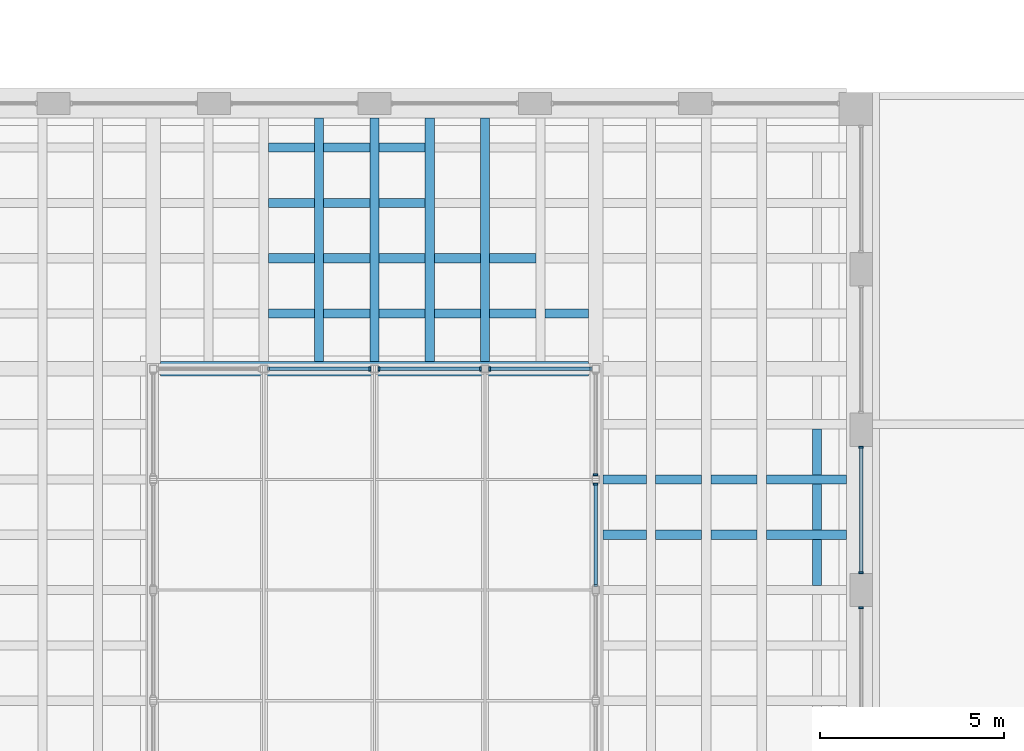
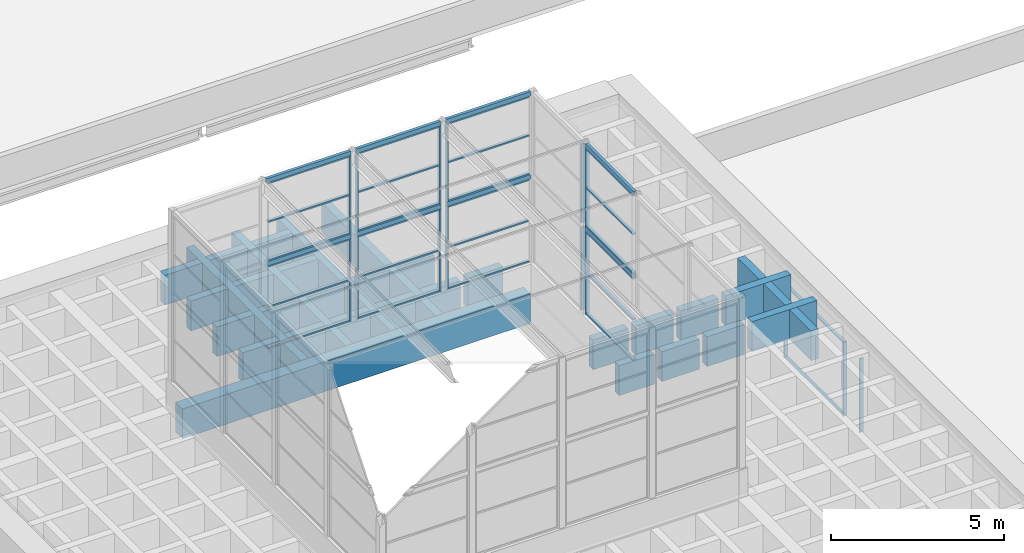
# One storey, part 33 of 50: 41 beams, 41 members, 12 elements without a shape of their own.
"""IFC4 building model written with IfcOpenShell, lengths in metres."""

from ifc_helpers import new_model, si_unit, direction, frame, origin, origin_2d, place, context, subcontext, project, spatial, rectangle, hollow_rectangle, extrude, material, layer, layer_set, material_profile, profile_set, type_object, element, aggregate, save


model = new_model("IFC4")

# Units and contexts
model_context = context("Model", 3, precision=1e-05, world=origin(), true_north=direction((0.0, 1.0)))
body_context = subcontext(model_context, "Body", "Model", "MODEL_VIEW")
ifc_project = project(units=[si_unit("LENGTHUNIT", "METRE"), si_unit("AREAUNIT", "SQUARE_METRE"), si_unit("VOLUMEUNIT", "CUBIC_METRE"), si_unit("PLANEANGLEUNIT", "RADIAN"), si_unit("MASSUNIT", "GRAM", prefix="KILO")], contexts=[model_context])

# Site, building, storey
site_placement = place(None, origin())
site = spatial("IfcSite", under=ifc_project, at=site_placement, CompositionType="ELEMENT")
building_placement = place(site_placement, origin())
building = spatial("IfcBuilding", under=site, at=building_placement, Name="Corbel Yard City Hall", CompositionType="ELEMENT")
storey_placement = place(building_placement, frame((0.0, 0.0, 15.0)))
storey = spatial("IfcBuildingStorey", under=building, at=storey_placement, Name="L03", CompositionType="ELEMENT", Elevation=15.0)

# Beams
ifc_material_1 = material(Name="Concrete N50 (50 MPa)", Category="concrete")
ifc_material_profile_1 = material_profile(ifc_material_1, rectangle(XDim=0.25, YDim=1.050048828125, at=origin_2d()), Name="250x1050")
ifc_profile_set_1 = profile_set([ifc_material_profile_1], Name="Concrete N50 (50 MPa)")
beam_type_1 = type_object("IfcBeamType", Name="Coffer bay rib RC 250X1050", PredefinedType="T_BEAM", material=ifc_profile_set_1)
for number, where, z_axis, x_axis, name in (
    (1, (129.0, 73.699951171875, 3.125), (0.0, 1.0, 0.0), (-1.0, 0.0, 0.0), "Coffer bay rib RB5"),
    (2, (130.5, 73.699951171875, 3.125), (0.0, 1.0, 0.0), (-1.0, 0.0, 0.0), "Coffer bay rib RB5"),
    (3, (132.0, 73.699951171875, 3.125), (0.0, 1.0, 0.0), (-1.0, 0.0, 0.0), "Coffer bay rib RB5"),
    (4, (133.5, 73.699951171875, 3.125), (0.0, 1.0, 0.0), (-1.0, 0.0, 0.0), "Coffer bay rib RB5"),
):
    element("IfcBeam", number, at=place(storey_placement, frame(where, z_axis=z_axis, x_axis=x_axis)), inside=storey, type_object=beam_type_1, Name=name, PredefinedType="T_BEAM", context=body_context, shape_type="SweptSolid", body=[
        extrude(rectangle(XDim=0.25, YDim=1.050048828125, at=origin_2d()), origin(), (0.0, 0.0, 1.0), 6.60009765625),
    ])
ifc_material_profile_2 = material_profile(ifc_material_1, rectangle(XDim=0.25, YDim=1.050048828125, at=origin_2d()), Name="250x1050")
ifc_profile_set_2 = profile_set([ifc_material_profile_2], Name="Concrete N50 (50 MPa)")
beam_type_2 = type_object("IfcBeamType", Name="Coffer cross rib RC 250X1050", PredefinedType="T_BEAM", material=ifc_profile_set_2)
for number, where, z_axis, x_axis, name in (
    (5, (142.5, 67.625, 3.125), (0.0, 1.0, 0.0), (-1.0, 0.0, 0.0), "Coffer cross rib RB3"),
    (6, (142.5, 69.125, 3.125), (0.0, 1.0, 0.0), (-1.0, 0.0, 0.0), "Coffer cross rib RB3"),
    (7, (142.5, 70.625, 3.125), (0.0, 1.0, 0.0), (-1.0, 0.0, 0.0), "Coffer cross rib RB3"),
):
    element("IfcBeam", number, at=place(storey_placement, frame(where, z_axis=z_axis, x_axis=x_axis)), inside=storey, type_object=beam_type_2, Name=name, PredefinedType="T_BEAM", context=body_context, shape_type="SweptSolid", body=[
        extrude(rectangle(XDim=0.25, YDim=1.050048828125, at=origin_2d()), origin(), (0.0, 0.0, 1.0), 1.25),
    ])
beam_1_placement = place(storey_placement, frame((136.699951171875, 69.0, 3.125), z_axis=(1.0, 0.0, 0.0), x_axis=(0.0, 1.0, 0.0)))
element("IfcBeam", 8, at=beam_1_placement, inside=storey, type_object=beam_type_2, Name="Coffer cross rib RB3", PredefinedType="T_BEAM", context=body_context, shape_type="SweptSolid", body=[
    extrude(rectangle(XDim=0.25, YDim=1.050048828125, at=origin_2d()), origin(), (0.0, 0.0, 1.0), 1.175048828125),
])
for number, where, z_axis, x_axis, name in (
    (9, (138.125, 69.0, 3.125), (1.0, 0.0, 0.0), (0.0, 1.0, 0.0), "Coffer cross rib RB3"),
    (10, (139.625, 69.0, 3.125), (1.0, 0.0, 0.0), (0.0, 1.0, 0.0), "Coffer cross rib RB3"),
):
    element("IfcBeam", number, at=place(storey_placement, frame(where, z_axis=z_axis, x_axis=x_axis)), inside=storey, type_object=beam_type_2, Name=name, PredefinedType="T_BEAM", context=body_context, shape_type="SweptSolid", body=[
        extrude(rectangle(XDim=0.25, YDim=1.050048828125, at=origin_2d()), origin(), (0.0, 0.0, 1.0), 1.25),
    ])
beam_2_placement = place(storey_placement, frame((141.125, 69.0, 3.125), z_axis=(1.0, 0.0, 0.0), x_axis=(0.0, 1.0, 0.0)))
element("IfcBeam", 11, at=beam_2_placement, inside=storey, type_object=beam_type_2, Name="Coffer cross rib RB3", PredefinedType="T_BEAM", context=body_context, shape_type="SweptSolid", body=[
    extrude(rectangle(XDim=0.25, YDim=1.050048828125, at=origin_2d()), origin(), (0.0, 0.0, 1.0), 2.175048828125),
])
beam_3_placement = place(storey_placement, frame((136.699951171875, 70.5, 3.125), z_axis=(1.0, 0.0, 0.0), x_axis=(0.0, 1.0, 0.0)))
element("IfcBeam", 12, at=beam_3_placement, inside=storey, type_object=beam_type_2, Name="Coffer cross rib RB3", PredefinedType="T_BEAM", context=body_context, shape_type="SweptSolid", body=[
    extrude(rectangle(XDim=0.25, YDim=1.050048828125, at=origin_2d()), origin(), (0.0, 0.0, 1.0), 1.175048828125),
])
for number, where, z_axis, x_axis, name in (
    (13, (138.125, 70.5, 3.125), (1.0, 0.0, 0.0), (0.0, 1.0, 0.0), "Coffer cross rib RB3"),
    (14, (139.625, 70.5, 3.125), (1.0, 0.0, 0.0), (0.0, 1.0, 0.0), "Coffer cross rib RB3"),
):
    element("IfcBeam", number, at=place(storey_placement, frame(where, z_axis=z_axis, x_axis=x_axis)), inside=storey, type_object=beam_type_2, Name=name, PredefinedType="T_BEAM", context=body_context, shape_type="SweptSolid", body=[
        extrude(rectangle(XDim=0.25, YDim=1.050048828125, at=origin_2d()), origin(), (0.0, 0.0, 1.0), 1.25),
    ])
beam_4_placement = place(storey_placement, frame((141.125, 70.5, 3.125), z_axis=(1.0, 0.0, 0.0), x_axis=(0.0, 1.0, 0.0)))
element("IfcBeam", 15, at=beam_4_placement, inside=storey, type_object=beam_type_2, Name="Coffer cross rib RB3", PredefinedType="T_BEAM", context=body_context, shape_type="SweptSolid", body=[
    extrude(rectangle(XDim=0.25, YDim=1.050048828125, at=origin_2d()), origin(), (0.0, 0.0, 1.0), 2.175048828125),
])
for number, where, z_axis, x_axis, name in (
    (16, (127.625, 75.0, 3.125), (1.0, 0.0, 0.0), (0.0, 1.0, 0.0), "Coffer cross rib RB3"),
    (17, (129.125, 75.0, 3.125), (1.0, 0.0, 0.0), (0.0, 1.0, 0.0), "Coffer cross rib RB3"),
    (18, (130.625, 75.0, 3.125), (1.0, 0.0, 0.0), (0.0, 1.0, 0.0), "Coffer cross rib RB3"),
    (19, (132.125, 75.0, 3.125), (1.0, 0.0, 0.0), (0.0, 1.0, 0.0), "Coffer cross rib RB3"),
    (20, (133.625, 75.0, 3.125), (1.0, 0.0, 0.0), (0.0, 1.0, 0.0), "Coffer cross rib RB3"),
):
    element("IfcBeam", number, at=place(storey_placement, frame(where, z_axis=z_axis, x_axis=x_axis)), inside=storey, type_object=beam_type_2, Name=name, PredefinedType="T_BEAM", context=body_context, shape_type="SweptSolid", body=[
        extrude(rectangle(XDim=0.25, YDim=1.050048828125, at=origin_2d()), origin(), (0.0, 0.0, 1.0), 1.25),
    ])
beam_5_placement = place(storey_placement, frame((135.125, 75.0, 3.125), z_axis=(1.0, 0.0, 0.0), x_axis=(0.0, 1.0, 0.0)))
element("IfcBeam", 21, at=beam_5_placement, inside=storey, type_object=beam_type_2, Name="Coffer cross rib RB3", PredefinedType="T_BEAM", context=body_context, shape_type="SweptSolid", body=[
    extrude(rectangle(XDim=0.25, YDim=1.050048828125, at=origin_2d()), origin(), (0.0, 0.0, 1.0), 1.175048828125),
])
for number, where, z_axis, x_axis, name in (
    (22, (127.625, 76.5, 3.125), (1.0, 0.0, 0.0), (0.0, 1.0, 0.0), "Coffer cross rib RB3"),
    (23, (129.125, 76.5, 3.125), (1.0, 0.0, 0.0), (0.0, 1.0, 0.0), "Coffer cross rib RB3"),
    (24, (130.625, 76.5, 3.125), (1.0, 0.0, 0.0), (0.0, 1.0, 0.0), "Coffer cross rib RB3"),
    (25, (132.125, 76.5, 3.125), (1.0, 0.0, 0.0), (0.0, 1.0, 0.0), "Coffer cross rib RB3"),
    (26, (133.625, 76.5, 3.125), (1.0, 0.0, 0.0), (0.0, 1.0, 0.0), "Coffer cross rib RB3"),
    (27, (127.625, 78.0, 3.125), (1.0, 0.0, 0.0), (0.0, 1.0, 0.0), "Coffer cross rib RB3"),
    (28, (129.125, 78.0, 3.125), (1.0, 0.0, 0.0), (0.0, 1.0, 0.0), "Coffer cross rib RB3"),
    (29, (130.625, 78.0, 3.125), (1.0, 0.0, 0.0), (0.0, 1.0, 0.0), "Coffer cross rib RB3"),
    (30, (127.625, 79.5, 3.125), (1.0, 0.0, 0.0), (0.0, 1.0, 0.0), "Coffer cross rib RB3"),
    (31, (129.125, 79.5, 3.125), (1.0, 0.0, 0.0), (0.0, 1.0, 0.0), "Coffer cross rib RB3"),
    (32, (130.625, 79.5, 3.125), (1.0, 0.0, 0.0), (0.0, 1.0, 0.0), "Coffer cross rib RB3"),
):
    element("IfcBeam", number, at=place(storey_placement, frame(where, z_axis=z_axis, x_axis=x_axis)), inside=storey, type_object=beam_type_2, Name=name, PredefinedType="T_BEAM", context=body_context, shape_type="SweptSolid", body=[
        extrude(rectangle(XDim=0.25, YDim=1.050048828125, at=origin_2d()), origin(), (0.0, 0.0, 1.0), 1.25),
    ])
ifc_material_2 = material(Name="Steel Grade C450L0", Category="steel")
ifc_material_profile_3 = material_profile(ifc_material_2, hollow_rectangle(XDim=0.10009765625, YDim=0.14990234375, WallThickness=0.006103515625, at=origin_2d()), Name="150x100x6.0RHS")
ifc_profile_set_3 = profile_set([ifc_material_profile_3], Name="Steel Grade C450L0")
beam_type_3 = type_object("IfcBeamType", Name="Lantern frame beam 150x100x6.0RHS", PredefinedType="BEAM", material=ifc_profile_set_3)
for number, where, z_axis, x_axis, name in (
    (33, (127.60009765625, 73.5, 10.574951171875), (1.0, 0.0, 0.0), (0.0, 1.0, 0.0), "Lantern frame beam 150x100x6.0RHS SB22"),
    (34, (130.60009765625, 73.5, 10.574951171875), (1.0, 0.0, 0.0), (0.0, 1.0, 0.0), "Lantern frame beam 150x100x6.0RHS SB22"),
    (35, (133.60009765625, 73.5, 10.574951171875), (1.0, 0.0, 0.0), (0.0, 1.0, 0.0), "Lantern frame beam 150x100x6.0RHS SB22"),
    (36, (136.5, 67.60009765625, 10.574951171875), (0.0, 1.0, 0.0), (-1.0, 0.0, 0.0), "Lantern frame beam 150x100x6.0RHS SB22"),
    (37, (127.60009765625, 73.5, 7.64990234375), (1.0, 0.0, 0.0), (0.0, 1.0, 0.0), "Lantern frame beam 150x100x6.0RHS SB22"),
    (38, (130.60009765625, 73.5, 7.64990234375), (1.0, 0.0, 0.0), (0.0, 1.0, 0.0), "Lantern frame beam 150x100x6.0RHS SB22"),
    (39, (133.60009765625, 73.5, 7.64990234375), (1.0, 0.0, 0.0), (0.0, 1.0, 0.0), "Lantern frame beam 150x100x6.0RHS SB22"),
    (40, (136.5, 67.60009765625, 7.64990234375), (0.0, 1.0, 0.0), (-1.0, 0.0, 0.0), "Lantern frame beam 150x100x6.0RHS SB22"),
):
    element("IfcBeam", number, at=place(storey_placement, frame(where, z_axis=z_axis, x_axis=x_axis)), inside=storey, type_object=beam_type_3, Name=name, PredefinedType="BEAM", context=body_context, shape_type="SweptSolid", body=[
        extrude(hollow_rectangle(XDim=0.10009765625, YDim=0.14990234375, WallThickness=0.006103515625, at=origin_2d()), origin(), (0.0, 0.0, 1.0), 2.7998046875),
    ])
ifc_material_profile_4 = material_profile(ifc_material_1, rectangle(XDim=0.39990234375, YDim=1.050048828125, at=origin_2d()), Name="400x1050")
ifc_profile_set_4 = profile_set([ifc_material_profile_4], Name="Concrete N50 (50 MPa)")
beam_type_4 = type_object("IfcBeamType", Name="Lantern trimmer bay rib RC 400X1050", PredefinedType="BEAM", material=ifc_profile_set_4)
beam_6_placement = place(storey_placement, frame((124.699951171875, 73.5, 3.125), z_axis=(1.0, 0.0, 0.0), x_axis=(0.0, 1.0, 0.0)))
element("IfcBeam", 41, at=beam_6_placement, inside=storey, type_object=beam_type_4, Name="Lantern trimmer bay rib RB6", PredefinedType="BEAM", context=body_context, shape_type="SweptSolid", body=[
    extrude(rectangle(XDim=0.39990234375, YDim=1.050048828125, at=origin_2d()), origin(), (0.0, 0.0, 1.0), 11.60009765625),
])

# Curtain wall, member
ifc_material_3 = material(Name="Aluminium extrusion", Category="aluminium")
ifc_layer = layer(ifc_material_3, 0.1201171875)
ifc_layer_set = layer_set([ifc_layer], Name="Aluminium extrusion")
curtain_wall_type = type_object("IfcCurtainWallType", Name="CW3", PredefinedType="USERDEFINED", material=ifc_layer_set)
curtain_wall_1_placement = place(storey_placement, origin())
curtain_wall_1 = element("IfcCurtainWall", 42, at=curtain_wall_1_placement, inside=storey, type_object=curtain_wall_type, Name="Lantern glazing", ObjectType="CURTAIN WALL", PredefinedType="USERDEFINED")
ifc_material_profile_5 = material_profile(ifc_material_3, rectangle(XDim=0.1201171875, YDim=0.050048828125, at=origin_2d()), Name="120x50")
ifc_profile_set_5 = profile_set([ifc_material_profile_5], Name="Aluminium extrusion")
member_type_1 = type_object("IfcMemberType", Name="ML3", PredefinedType="MULLION", material=ifc_profile_set_5)
member_1_placement = place(storey_placement, frame((130.375, 73.5, 4.64990234375), z_axis=(0.0, 0.0, 1.0), x_axis=(0.0, 1.0, 0.0)))
member_1 = element("IfcMember", 43, at=member_1_placement, type_object=member_type_1, Name="CW3 mullion 2", PredefinedType="MULLION", context=body_context, shape_type="SweptSolid", body=[
    extrude(rectangle(XDim=0.1201171875, YDim=0.050048828125, at=origin_2d()), origin(), (0.0, 0.0, 1.0), 2.925048828125),
])

# Curtain wall, members
curtain_wall_2_placement = place(storey_placement, origin())
curtain_wall_2 = element("IfcCurtainWall", 44, at=curtain_wall_2_placement, inside=storey, type_object=curtain_wall_type, Name="Lantern glazing", ObjectType="CURTAIN WALL", PredefinedType="USERDEFINED")
member_2_placement = place(storey_placement, frame((130.625, 73.5, 4.64990234375), z_axis=(0.0, 0.0, 1.0), x_axis=(0.0, 1.0, 0.0)))
member_2 = element("IfcMember", 45, at=member_2_placement, type_object=member_type_1, Name="CW3 mullion 1", PredefinedType="MULLION", context=body_context, shape_type="SweptSolid", body=[
    extrude(rectangle(XDim=0.1201171875, YDim=0.050048828125, at=origin_2d()), origin(), (0.0, 0.0, 1.0), 2.925048828125),
])
member_3_placement = place(storey_placement, frame((133.375, 73.5, 4.64990234375), z_axis=(0.0, 0.0, 1.0), x_axis=(0.0, 1.0, 0.0)))
member_3 = element("IfcMember", 46, at=member_3_placement, type_object=member_type_1, Name="CW3 mullion 2", PredefinedType="MULLION", context=body_context, shape_type="SweptSolid", body=[
    extrude(rectangle(XDim=0.1201171875, YDim=0.050048828125, at=origin_2d()), origin(), (0.0, 0.0, 1.0), 2.925048828125),
])

# Curtain wall, member
curtain_wall_3_placement = place(storey_placement, origin())
curtain_wall_3 = element("IfcCurtainWall", 47, at=curtain_wall_3_placement, inside=storey, type_object=curtain_wall_type, Name="Lantern glazing", ObjectType="CURTAIN WALL", PredefinedType="USERDEFINED")
member_4_placement = place(storey_placement, frame((133.625, 73.5, 4.64990234375), z_axis=(0.0, 0.0, 1.0), x_axis=(0.0, 1.0, 0.0)))
member_4 = element("IfcMember", 48, at=member_4_placement, type_object=member_type_1, Name="CW3 mullion 1", PredefinedType="MULLION", context=body_context, shape_type="SweptSolid", body=[
    extrude(rectangle(XDim=0.1201171875, YDim=0.050048828125, at=origin_2d()), origin(), (0.0, 0.0, 1.0), 2.925048828125),
])

curtain_wall_4_placement = place(storey_placement, origin())
curtain_wall_4 = element("IfcCurtainWall", 49, at=curtain_wall_4_placement, inside=storey, type_object=curtain_wall_type, Name="Lantern glazing", ObjectType="CURTAIN WALL", PredefinedType="USERDEFINED")
member_5_placement = place(storey_placement, frame((136.5, 70.375, 4.64990234375), z_axis=(0.0, 0.0, 1.0), x_axis=(-1.0, 0.0, 0.0)))
member_5 = element("IfcMember", 50, at=member_5_placement, type_object=member_type_1, Name="CW3 mullion 2", PredefinedType="MULLION", context=body_context, shape_type="SweptSolid", body=[
    extrude(rectangle(XDim=0.1201171875, YDim=0.050048828125, at=origin_2d()), origin(), (0.0, 0.0, 1.0), 2.925048828125),
])

curtain_wall_5_placement = place(storey_placement, origin())
curtain_wall_5 = element("IfcCurtainWall", 51, at=curtain_wall_5_placement, inside=storey, type_object=curtain_wall_type, Name="Lantern glazing", ObjectType="CURTAIN WALL", PredefinedType="USERDEFINED")
member_6_placement = place(storey_placement, frame((136.5, 70.625, 4.64990234375), z_axis=(0.0, 0.0, 1.0), x_axis=(-1.0, 0.0, 0.0)))
member_6 = element("IfcMember", 52, at=member_6_placement, type_object=member_type_1, Name="CW3 mullion 1", PredefinedType="MULLION", context=body_context, shape_type="SweptSolid", body=[
    extrude(rectangle(XDim=0.1201171875, YDim=0.050048828125, at=origin_2d()), origin(), (0.0, 0.0, 1.0), 2.925048828125),
])
aggregate(curtain_wall_5, [member_6])

curtain_wall_6_placement = place(storey_placement, origin())
curtain_wall_6 = element("IfcCurtainWall", 53, at=curtain_wall_6_placement, inside=storey, type_object=curtain_wall_type, Name="Lantern glazing", ObjectType="CURTAIN WALL", PredefinedType="USERDEFINED")
member_7_placement = place(storey_placement, frame((130.375, 73.5, 7.72509765625), z_axis=(0.0, 0.0, 1.0), x_axis=(0.0, 1.0, 0.0)))
member_7 = element("IfcMember", 54, at=member_7_placement, type_object=member_type_1, Name="CW3 mullion 2", PredefinedType="MULLION", context=body_context, shape_type="SweptSolid", body=[
    extrude(rectangle(XDim=0.1201171875, YDim=0.050048828125, at=origin_2d()), origin(), (0.0, 0.0, 1.0), 2.77490234375),
])

# Curtain wall, members
curtain_wall_7_placement = place(storey_placement, origin())
curtain_wall_7 = element("IfcCurtainWall", 55, at=curtain_wall_7_placement, inside=storey, type_object=curtain_wall_type, Name="Lantern glazing", ObjectType="CURTAIN WALL", PredefinedType="USERDEFINED")
member_8_placement = place(storey_placement, frame((130.625, 73.5, 7.72509765625), z_axis=(0.0, 0.0, 1.0), x_axis=(0.0, 1.0, 0.0)))
member_8 = element("IfcMember", 56, at=member_8_placement, type_object=member_type_1, Name="CW3 mullion 1", PredefinedType="MULLION", context=body_context, shape_type="SweptSolid", body=[
    extrude(rectangle(XDim=0.1201171875, YDim=0.050048828125, at=origin_2d()), origin(), (0.0, 0.0, 1.0), 2.77490234375),
])
member_9_placement = place(storey_placement, frame((133.375, 73.5, 7.72509765625), z_axis=(0.0, 0.0, 1.0), x_axis=(0.0, 1.0, 0.0)))
member_9 = element("IfcMember", 57, at=member_9_placement, type_object=member_type_1, Name="CW3 mullion 2", PredefinedType="MULLION", context=body_context, shape_type="SweptSolid", body=[
    extrude(rectangle(XDim=0.1201171875, YDim=0.050048828125, at=origin_2d()), origin(), (0.0, 0.0, 1.0), 2.77490234375),
])

# Curtain wall, member
curtain_wall_8_placement = place(storey_placement, origin())
curtain_wall_8 = element("IfcCurtainWall", 58, at=curtain_wall_8_placement, inside=storey, type_object=curtain_wall_type, Name="Lantern glazing", ObjectType="CURTAIN WALL", PredefinedType="USERDEFINED")
member_10_placement = place(storey_placement, frame((133.625, 73.5, 7.72509765625), z_axis=(0.0, 0.0, 1.0), x_axis=(0.0, 1.0, 0.0)))
member_10 = element("IfcMember", 59, at=member_10_placement, type_object=member_type_1, Name="CW3 mullion 1", PredefinedType="MULLION", context=body_context, shape_type="SweptSolid", body=[
    extrude(rectangle(XDim=0.1201171875, YDim=0.050048828125, at=origin_2d()), origin(), (0.0, 0.0, 1.0), 2.77490234375),
])

curtain_wall_9_placement = place(storey_placement, origin())
curtain_wall_9 = element("IfcCurtainWall", 60, at=curtain_wall_9_placement, inside=storey, type_object=curtain_wall_type, Name="Lantern glazing", ObjectType="CURTAIN WALL", PredefinedType="USERDEFINED")
member_11_placement = place(storey_placement, frame((136.5, 70.375, 7.72509765625), z_axis=(0.0, 0.0, 1.0), x_axis=(-1.0, 0.0, 0.0)))
member_11 = element("IfcMember", 61, at=member_11_placement, type_object=member_type_1, Name="CW3 mullion 2", PredefinedType="MULLION", context=body_context, shape_type="SweptSolid", body=[
    extrude(rectangle(XDim=0.1201171875, YDim=0.050048828125, at=origin_2d()), origin(), (0.0, 0.0, 1.0), 2.77490234375),
])

curtain_wall_10_placement = place(storey_placement, origin())
curtain_wall_10 = element("IfcCurtainWall", 62, at=curtain_wall_10_placement, inside=storey, type_object=curtain_wall_type, Name="Lantern glazing", ObjectType="CURTAIN WALL", PredefinedType="USERDEFINED")
member_12_placement = place(storey_placement, frame((136.5, 70.625, 7.72509765625), z_axis=(0.0, 0.0, 1.0), x_axis=(-1.0, 0.0, 0.0)))
member_12 = element("IfcMember", 63, at=member_12_placement, type_object=member_type_1, Name="CW3 mullion 1", PredefinedType="MULLION", context=body_context, shape_type="SweptSolid", body=[
    extrude(rectangle(XDim=0.1201171875, YDim=0.050048828125, at=origin_2d()), origin(), (0.0, 0.0, 1.0), 2.77490234375),
])
aggregate(curtain_wall_10, [member_12])

curtain_wall_11_placement = place(storey_placement, origin())
curtain_wall_11 = element("IfcCurtainWall", 64, at=curtain_wall_11_placement, inside=storey, type_object=curtain_wall_type, Name="Chamber clerestory glazing", ObjectType="CURTAIN WALL", PredefinedType="USERDEFINED")
member_13_placement = place(storey_placement, frame((143.699951171875, 67.02490234375, 0.0), z_axis=(0.0, 0.0, 1.0), x_axis=(-1.0, 0.0, 0.0)))
member_13 = element("IfcMember", 65, at=member_13_placement, type_object=member_type_1, Name="CW3 mullion 2", PredefinedType="MULLION", context=body_context, shape_type="SweptSolid", body=[
    extrude(rectangle(XDim=0.1201171875, YDim=0.050048828125, at=origin_2d()), origin(), (0.0, 0.0, 1.0), 2.60009765625),
])
aggregate(curtain_wall_11, [member_13])

# Curtain wall, members
curtain_wall_12_placement = place(storey_placement, origin())
curtain_wall_12 = element("IfcCurtainWall", 66, at=curtain_wall_12_placement, inside=storey, type_object=curtain_wall_type, Name="Chamber clerestory glazing", ObjectType="CURTAIN WALL", PredefinedType="USERDEFINED")
member_14_placement = place(storey_placement, frame((143.699951171875, 67.97509765625, 0.0), z_axis=(0.0, 0.0, 1.0), x_axis=(-1.0, 0.0, 0.0)))
member_14 = element("IfcMember", 67, at=member_14_placement, type_object=member_type_1, Name="CW3 mullion 1", PredefinedType="MULLION", context=body_context, shape_type="SweptSolid", body=[
    extrude(rectangle(XDim=0.1201171875, YDim=0.050048828125, at=origin_2d()), origin(), (0.0, 0.0, 1.0), 2.60009765625),
])
member_15_placement = place(storey_placement, frame((143.699951171875, 71.375, 0.0), z_axis=(0.0, 0.0, 1.0), x_axis=(-1.0, 0.0, 0.0)))
member_15 = element("IfcMember", 68, at=member_15_placement, type_object=member_type_1, Name="CW3 mullion 2", PredefinedType="MULLION", context=body_context, shape_type="SweptSolid", body=[
    extrude(rectangle(XDim=0.1201171875, YDim=0.050048828125, at=origin_2d()), origin(), (0.0, 0.0, 1.0), 2.60009765625),
])

# Member
ifc_material_profile_6 = material_profile(ifc_material_3, rectangle(XDim=0.10009765625, YDim=0.050048828125, at=origin_2d()), Name="100x50")
ifc_profile_set_6 = profile_set([ifc_material_profile_6], Name="Aluminium extrusion")
member_type_2 = type_object("IfcMemberType", Name="TR3", PredefinedType="USERDEFINED", material=ifc_profile_set_6)
member_16_placement = place(storey_placement, frame((127.64990234375, 73.5, 4.675048828125), z_axis=(1.0, 0.0, 0.0), x_axis=(0.0, 1.0, 0.0)))
member_16 = element("IfcMember", 69, at=member_16_placement, type_object=member_type_2, Name="CW3 transom 1.1", ObjectType="TRANSOM", PredefinedType="USERDEFINED", context=body_context, shape_type="SweptSolid", body=[
    extrude(rectangle(XDim=0.10009765625, YDim=0.050048828125, at=origin_2d()), origin(), (0.0, 0.0, 1.0), 2.7001953125),
])

member_17_placement = place(storey_placement, frame((127.64990234375, 73.5, 6.112548828125), z_axis=(1.0, 0.0, 0.0), x_axis=(0.0, 1.0, 0.0)))
member_17 = element("IfcMember", 70, at=member_17_placement, type_object=member_type_2, Name="CW3 transom 1.2", ObjectType="TRANSOM", PredefinedType="USERDEFINED", context=body_context, shape_type="SweptSolid", body=[
    extrude(rectangle(XDim=0.10009765625, YDim=0.050048828125, at=origin_2d()), origin(), (0.0, 0.0, 1.0), 2.7001953125),
])

member_18_placement = place(storey_placement, frame((127.64990234375, 73.5, 7.550048828125), z_axis=(1.0, 0.0, 0.0), x_axis=(0.0, 1.0, 0.0)))
member_18 = element("IfcMember", 71, at=member_18_placement, type_object=member_type_2, Name="CW3 transom 1.3", ObjectType="TRANSOM", PredefinedType="USERDEFINED", context=body_context, shape_type="SweptSolid", body=[
    extrude(rectangle(XDim=0.10009765625, YDim=0.050048828125, at=origin_2d()), origin(), (0.0, 0.0, 1.0), 2.7001953125),
])

aggregate(curtain_wall_1, [member_1, member_16, member_17, member_18])

member_19_placement = place(storey_placement, frame((130.64990234375, 73.5, 4.675048828125), z_axis=(1.0, 0.0, 0.0), x_axis=(0.0, 1.0, 0.0)))
member_19 = element("IfcMember", 72, at=member_19_placement, type_object=member_type_2, Name="CW3 transom 1.1", ObjectType="TRANSOM", PredefinedType="USERDEFINED", context=body_context, shape_type="SweptSolid", body=[
    extrude(rectangle(XDim=0.10009765625, YDim=0.050048828125, at=origin_2d()), origin(), (0.0, 0.0, 1.0), 2.7001953125),
])

member_20_placement = place(storey_placement, frame((130.64990234375, 73.5, 6.112548828125), z_axis=(1.0, 0.0, 0.0), x_axis=(0.0, 1.0, 0.0)))
member_20 = element("IfcMember", 73, at=member_20_placement, type_object=member_type_2, Name="CW3 transom 1.2", ObjectType="TRANSOM", PredefinedType="USERDEFINED", context=body_context, shape_type="SweptSolid", body=[
    extrude(rectangle(XDim=0.10009765625, YDim=0.050048828125, at=origin_2d()), origin(), (0.0, 0.0, 1.0), 2.7001953125),
])

member_21_placement = place(storey_placement, frame((130.64990234375, 73.5, 7.550048828125), z_axis=(1.0, 0.0, 0.0), x_axis=(0.0, 1.0, 0.0)))
member_21 = element("IfcMember", 74, at=member_21_placement, type_object=member_type_2, Name="CW3 transom 1.3", ObjectType="TRANSOM", PredefinedType="USERDEFINED", context=body_context, shape_type="SweptSolid", body=[
    extrude(rectangle(XDim=0.10009765625, YDim=0.050048828125, at=origin_2d()), origin(), (0.0, 0.0, 1.0), 2.7001953125),
])

aggregate(curtain_wall_2, [member_2, member_3, member_19, member_20, member_21])

member_22_placement = place(storey_placement, frame((133.64990234375, 73.5, 4.675048828125), z_axis=(1.0, 0.0, 0.0), x_axis=(0.0, 1.0, 0.0)))
member_22 = element("IfcMember", 75, at=member_22_placement, type_object=member_type_2, Name="CW3 transom 1.1", ObjectType="TRANSOM", PredefinedType="USERDEFINED", context=body_context, shape_type="SweptSolid", body=[
    extrude(rectangle(XDim=0.10009765625, YDim=0.050048828125, at=origin_2d()), origin(), (0.0, 0.0, 1.0), 2.7001953125),
])

member_23_placement = place(storey_placement, frame((133.64990234375, 73.5, 6.112548828125), z_axis=(1.0, 0.0, 0.0), x_axis=(0.0, 1.0, 0.0)))
member_23 = element("IfcMember", 76, at=member_23_placement, type_object=member_type_2, Name="CW3 transom 1.2", ObjectType="TRANSOM", PredefinedType="USERDEFINED", context=body_context, shape_type="SweptSolid", body=[
    extrude(rectangle(XDim=0.10009765625, YDim=0.050048828125, at=origin_2d()), origin(), (0.0, 0.0, 1.0), 2.7001953125),
])

member_24_placement = place(storey_placement, frame((133.64990234375, 73.5, 7.550048828125), z_axis=(1.0, 0.0, 0.0), x_axis=(0.0, 1.0, 0.0)))
member_24 = element("IfcMember", 77, at=member_24_placement, type_object=member_type_2, Name="CW3 transom 1.3", ObjectType="TRANSOM", PredefinedType="USERDEFINED", context=body_context, shape_type="SweptSolid", body=[
    extrude(rectangle(XDim=0.10009765625, YDim=0.050048828125, at=origin_2d()), origin(), (0.0, 0.0, 1.0), 2.7001953125),
])

aggregate(curtain_wall_3, [member_4, member_22, member_23, member_24])

member_25_placement = place(storey_placement, frame((136.5, 67.64990234375, 4.675048828125), z_axis=(0.0, 1.0, 0.0), x_axis=(-1.0, 0.0, 0.0)))
member_25 = element("IfcMember", 78, at=member_25_placement, type_object=member_type_2, Name="CW3 transom 1.1", ObjectType="TRANSOM", PredefinedType="USERDEFINED", context=body_context, shape_type="SweptSolid", body=[
    extrude(rectangle(XDim=0.10009765625, YDim=0.050048828125, at=origin_2d()), origin(), (0.0, 0.0, 1.0), 2.7001953125),
])

member_26_placement = place(storey_placement, frame((136.5, 67.64990234375, 6.112548828125), z_axis=(0.0, 1.0, 0.0), x_axis=(-1.0, 0.0, 0.0)))
member_26 = element("IfcMember", 79, at=member_26_placement, type_object=member_type_2, Name="CW3 transom 1.2", ObjectType="TRANSOM", PredefinedType="USERDEFINED", context=body_context, shape_type="SweptSolid", body=[
    extrude(rectangle(XDim=0.10009765625, YDim=0.050048828125, at=origin_2d()), origin(), (0.0, 0.0, 1.0), 2.7001953125),
])

member_27_placement = place(storey_placement, frame((136.5, 67.64990234375, 7.550048828125), z_axis=(0.0, 1.0, 0.0), x_axis=(-1.0, 0.0, 0.0)))
member_27 = element("IfcMember", 80, at=member_27_placement, type_object=member_type_2, Name="CW3 transom 1.3", ObjectType="TRANSOM", PredefinedType="USERDEFINED", context=body_context, shape_type="SweptSolid", body=[
    extrude(rectangle(XDim=0.10009765625, YDim=0.050048828125, at=origin_2d()), origin(), (0.0, 0.0, 1.0), 2.7001953125),
])

aggregate(curtain_wall_4, [member_5, member_25, member_26, member_27])

member_28_placement = place(storey_placement, frame((127.64990234375, 73.5, 7.75), z_axis=(1.0, 0.0, 0.0), x_axis=(0.0, 1.0, 0.0)))
member_28 = element("IfcMember", 81, at=member_28_placement, type_object=member_type_2, Name="CW3 transom 1.1", ObjectType="TRANSOM", PredefinedType="USERDEFINED", context=body_context, shape_type="SweptSolid", body=[
    extrude(rectangle(XDim=0.10009765625, YDim=0.050048828125, at=origin_2d()), origin(), (0.0, 0.0, 1.0), 2.7001953125),
])

member_29_placement = place(storey_placement, frame((127.64990234375, 73.5, 9.112548828125), z_axis=(1.0, 0.0, 0.0), x_axis=(0.0, 1.0, 0.0)))
member_29 = element("IfcMember", 82, at=member_29_placement, type_object=member_type_2, Name="CW3 transom 1.2", ObjectType="TRANSOM", PredefinedType="USERDEFINED", context=body_context, shape_type="SweptSolid", body=[
    extrude(rectangle(XDim=0.10009765625, YDim=0.050048828125, at=origin_2d()), origin(), (0.0, 0.0, 1.0), 2.7001953125),
])

member_30_placement = place(storey_placement, frame((127.64990234375, 73.5, 10.47509765625), z_axis=(1.0, 0.0, 0.0), x_axis=(0.0, 1.0, 0.0)))
member_30 = element("IfcMember", 83, at=member_30_placement, type_object=member_type_2, Name="CW3 transom 1.3", ObjectType="TRANSOM", PredefinedType="USERDEFINED", context=body_context, shape_type="SweptSolid", body=[
    extrude(rectangle(XDim=0.10009765625, YDim=0.050048828125, at=origin_2d()), origin(), (0.0, 0.0, 1.0), 2.7001953125),
])

aggregate(curtain_wall_6, [member_7, member_28, member_29, member_30])

member_31_placement = place(storey_placement, frame((130.64990234375, 73.5, 7.75), z_axis=(1.0, 0.0, 0.0), x_axis=(0.0, 1.0, 0.0)))
member_31 = element("IfcMember", 84, at=member_31_placement, type_object=member_type_2, Name="CW3 transom 1.1", ObjectType="TRANSOM", PredefinedType="USERDEFINED", context=body_context, shape_type="SweptSolid", body=[
    extrude(rectangle(XDim=0.10009765625, YDim=0.050048828125, at=origin_2d()), origin(), (0.0, 0.0, 1.0), 2.7001953125),
])

member_32_placement = place(storey_placement, frame((130.64990234375, 73.5, 9.112548828125), z_axis=(1.0, 0.0, 0.0), x_axis=(0.0, 1.0, 0.0)))
member_32 = element("IfcMember", 85, at=member_32_placement, type_object=member_type_2, Name="CW3 transom 1.2", ObjectType="TRANSOM", PredefinedType="USERDEFINED", context=body_context, shape_type="SweptSolid", body=[
    extrude(rectangle(XDim=0.10009765625, YDim=0.050048828125, at=origin_2d()), origin(), (0.0, 0.0, 1.0), 2.7001953125),
])

member_33_placement = place(storey_placement, frame((130.64990234375, 73.5, 10.47509765625), z_axis=(1.0, 0.0, 0.0), x_axis=(0.0, 1.0, 0.0)))
member_33 = element("IfcMember", 86, at=member_33_placement, type_object=member_type_2, Name="CW3 transom 1.3", ObjectType="TRANSOM", PredefinedType="USERDEFINED", context=body_context, shape_type="SweptSolid", body=[
    extrude(rectangle(XDim=0.10009765625, YDim=0.050048828125, at=origin_2d()), origin(), (0.0, 0.0, 1.0), 2.7001953125),
])

aggregate(curtain_wall_7, [member_8, member_9, member_31, member_32, member_33])

member_34_placement = place(storey_placement, frame((133.64990234375, 73.5, 7.75), z_axis=(1.0, 0.0, 0.0), x_axis=(0.0, 1.0, 0.0)))
member_34 = element("IfcMember", 87, at=member_34_placement, type_object=member_type_2, Name="CW3 transom 1.1", ObjectType="TRANSOM", PredefinedType="USERDEFINED", context=body_context, shape_type="SweptSolid", body=[
    extrude(rectangle(XDim=0.10009765625, YDim=0.050048828125, at=origin_2d()), origin(), (0.0, 0.0, 1.0), 2.7001953125),
])

member_35_placement = place(storey_placement, frame((133.64990234375, 73.5, 9.112548828125), z_axis=(1.0, 0.0, 0.0), x_axis=(0.0, 1.0, 0.0)))
member_35 = element("IfcMember", 88, at=member_35_placement, type_object=member_type_2, Name="CW3 transom 1.2", ObjectType="TRANSOM", PredefinedType="USERDEFINED", context=body_context, shape_type="SweptSolid", body=[
    extrude(rectangle(XDim=0.10009765625, YDim=0.050048828125, at=origin_2d()), origin(), (0.0, 0.0, 1.0), 2.7001953125),
])

member_36_placement = place(storey_placement, frame((133.64990234375, 73.5, 10.47509765625), z_axis=(1.0, 0.0, 0.0), x_axis=(0.0, 1.0, 0.0)))
member_36 = element("IfcMember", 89, at=member_36_placement, type_object=member_type_2, Name="CW3 transom 1.3", ObjectType="TRANSOM", PredefinedType="USERDEFINED", context=body_context, shape_type="SweptSolid", body=[
    extrude(rectangle(XDim=0.10009765625, YDim=0.050048828125, at=origin_2d()), origin(), (0.0, 0.0, 1.0), 2.7001953125),
])

aggregate(curtain_wall_8, [member_10, member_34, member_35, member_36])

member_37_placement = place(storey_placement, frame((136.5, 67.64990234375, 7.75), z_axis=(0.0, 1.0, 0.0), x_axis=(-1.0, 0.0, 0.0)))
member_37 = element("IfcMember", 90, at=member_37_placement, type_object=member_type_2, Name="CW3 transom 1.1", ObjectType="TRANSOM", PredefinedType="USERDEFINED", context=body_context, shape_type="SweptSolid", body=[
    extrude(rectangle(XDim=0.10009765625, YDim=0.050048828125, at=origin_2d()), origin(), (0.0, 0.0, 1.0), 2.7001953125),
])

member_38_placement = place(storey_placement, frame((136.5, 67.64990234375, 9.112548828125), z_axis=(0.0, 1.0, 0.0), x_axis=(-1.0, 0.0, 0.0)))
member_38 = element("IfcMember", 91, at=member_38_placement, type_object=member_type_2, Name="CW3 transom 1.2", ObjectType="TRANSOM", PredefinedType="USERDEFINED", context=body_context, shape_type="SweptSolid", body=[
    extrude(rectangle(XDim=0.10009765625, YDim=0.050048828125, at=origin_2d()), origin(), (0.0, 0.0, 1.0), 2.7001953125),
])

member_39_placement = place(storey_placement, frame((136.5, 67.64990234375, 10.47509765625), z_axis=(0.0, 1.0, 0.0), x_axis=(-1.0, 0.0, 0.0)))
member_39 = element("IfcMember", 92, at=member_39_placement, type_object=member_type_2, Name="CW3 transom 1.3", ObjectType="TRANSOM", PredefinedType="USERDEFINED", context=body_context, shape_type="SweptSolid", body=[
    extrude(rectangle(XDim=0.10009765625, YDim=0.050048828125, at=origin_2d()), origin(), (0.0, 0.0, 1.0), 2.7001953125),
])

aggregate(curtain_wall_9, [member_11, member_37, member_38, member_39])

member_40_placement = place(storey_placement, frame((143.699951171875, 68.0, 0.02490234375), z_axis=(0.0, 1.0, 0.0), x_axis=(-1.0, 0.0, 0.0)))
member_40 = element("IfcMember", 93, at=member_40_placement, type_object=member_type_2, Name="CW3 transom 1.1", ObjectType="TRANSOM", PredefinedType="USERDEFINED", context=body_context, shape_type="SweptSolid", body=[
    extrude(rectangle(XDim=0.10009765625, YDim=0.050048828125, at=origin_2d()), origin(), (0.0, 0.0, 1.0), 3.35009765625),
])

member_41_placement = place(storey_placement, frame((143.699951171875, 68.0, 2.574951171875), z_axis=(0.0, 1.0, 0.0), x_axis=(-1.0, 0.0, 0.0)))
member_41 = element("IfcMember", 94, at=member_41_placement, type_object=member_type_2, Name="CW3 transom 1.2", ObjectType="TRANSOM", PredefinedType="USERDEFINED", context=body_context, shape_type="SweptSolid", body=[
    extrude(rectangle(XDim=0.10009765625, YDim=0.050048828125, at=origin_2d()), origin(), (0.0, 0.0, 1.0), 3.35009765625),
])

aggregate(curtain_wall_12, [member_14, member_15, member_40, member_41])

save(model, "model.ifc")
